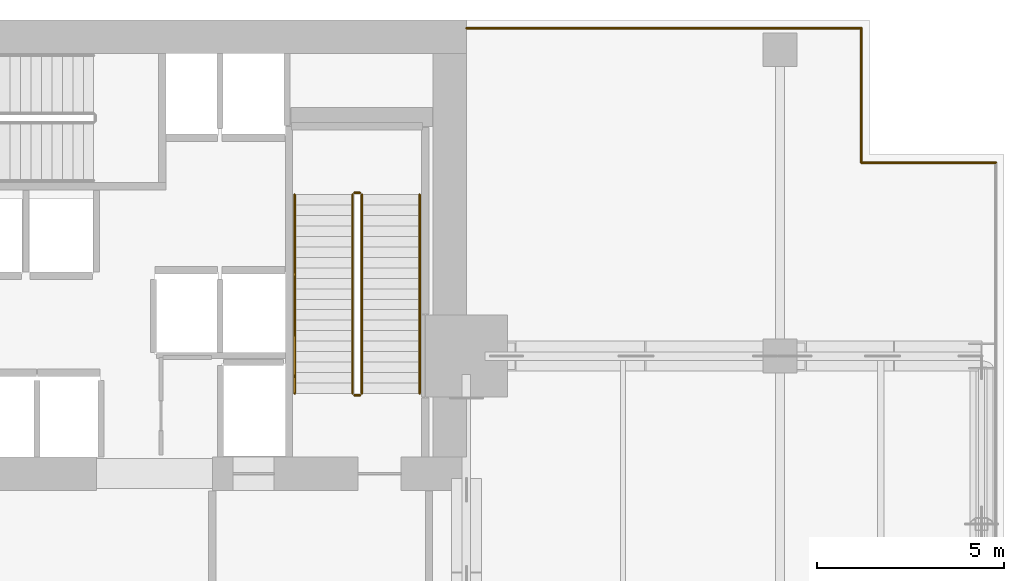
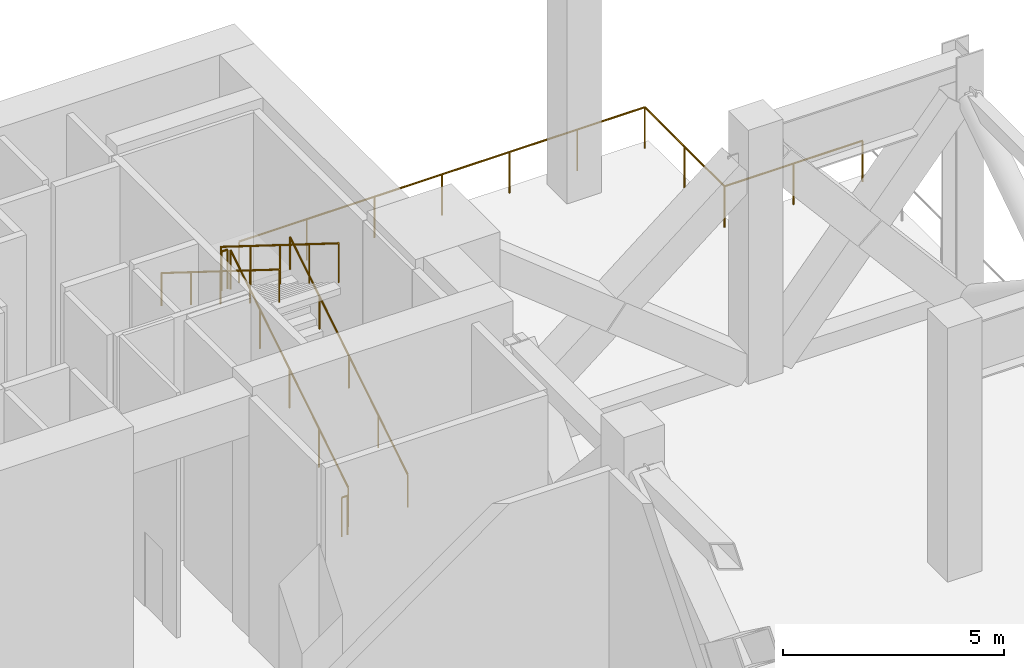
# One storey, part 16 of 16: 9 railings.
"""IFC4 building model written with IfcOpenShell, lengths in metres."""

from ifc_helpers import new_model, si_unit, direction, frame, origin, origin_2d, place, context, subcontext, project, spatial, circle, extrude, material, type_object, element, save


model = new_model("IFC4")

# Units and contexts
model_context = context("Model", 3, precision=1e-05, world=origin(), true_north=direction((0.0, 1.0)))
body_context = subcontext(model_context, "Body", "Model", "MODEL_VIEW")
ifc_project = project(units=[si_unit("LENGTHUNIT", "METRE"), si_unit("AREAUNIT", "SQUARE_METRE"), si_unit("VOLUMEUNIT", "CUBIC_METRE"), si_unit("PLANEANGLEUNIT", "RADIAN"), si_unit("MASSUNIT", "GRAM", prefix="KILO")], contexts=[model_context])

# Site, building, storey
site_placement = place(None, origin())
site = spatial("IfcSite", under=ifc_project, at=site_placement, CompositionType="ELEMENT")
building_placement = place(site_placement, origin())
building = spatial("IfcBuilding", under=site, at=building_placement, Name="Maruvema Waterfront Hotel and Observation Tower", CompositionType="ELEMENT")
storey_placement = place(building_placement, frame((0.0, 0.0, 115.5)))
storey = spatial("IfcBuildingStorey", under=building, at=storey_placement, Name="L28", CompositionType="ELEMENT", Elevation=115.5)

# Railings
ifc_material_1 = material(Name="Brushed stainless steel Grade 316", Category="steel")
railing_type_1 = type_object("IfcRailingType", Name="Ramp Continuous Wall Handrail 920 mm", PredefinedType="HANDRAIL", material=ifc_material_1)
railing_1_placement = place(storey_placement, frame((49.14990234375, 44.0, 0.175048828125)))
element("IfcRailing", 1, at=railing_1_placement, inside=storey, type_object=railing_type_1, Name="L28 ST-03 stair handrail 1", PredefinedType="HANDRAIL", context=body_context, shape_type="SweptSolid", body=[
    extrude(circle(Radius=0.02392578125, at=origin_2d()), frame((0.0, 0.0, 0.89599609375), z_axis=(0.0, 0.848004862711, 0.52998844593), x_axis=(-1.0, 0.0, 0.0)), (0.0, 0.0, 1.0), 6.273681640625),
    extrude(circle(Radius=0.02099609375, at=origin_2d()), origin(), (0.0, 0.0, 1.0), 0.871826171875),
    extrude(circle(Radius=0.02099609375, at=origin_2d()), frame((0.0, 1.330078125, 0.831298828125)), (0.0, 0.0, 1.0), 0.871826171875),
    extrude(circle(Radius=0.02099609375, at=origin_2d()), frame((0.0, 2.66015625, 1.66259765625)), (0.0, 0.0, 1.0), 0.871826171875),
    extrude(circle(Radius=0.02099609375, at=origin_2d()), frame((0.0, 3.989990234375, 2.49365234375)), (0.0, 0.0, 1.0), 0.871826171875),
    extrude(circle(Radius=0.02099609375, at=origin_2d()), frame((0.0, 5.320068359375, 3.324951171875)), (0.0, 0.0, 1.0), 0.871826171875),
])
railing_2_placement = place(storey_placement, frame((45.800048828125, 49.320068359375, 3.675048828125)))
element("IfcRailing", 2, at=railing_2_placement, inside=storey, type_object=railing_type_1, Name="L28 ST-03 stair handrail 2", PredefinedType="HANDRAIL", context=body_context, shape_type="SweptSolid", body=[
    extrude(circle(Radius=0.02392578125, at=origin_2d()), frame((0.0, 0.0, 0.89599609375), z_axis=(0.0, -0.848004862711, 0.52998844593), x_axis=(1.0, 0.0, 0.0)), (0.0, 0.0, 1.0), 6.273681640625),
    extrude(circle(Radius=0.02099609375, at=origin_2d()), origin(), (0.0, 0.0, 1.0), 0.871826171875),
    extrude(circle(Radius=0.02099609375, at=origin_2d()), frame((0.0, -1.330078125, 0.831298828125)), (0.0, 0.0, 1.0), 0.871826171875),
    extrude(circle(Radius=0.02099609375, at=origin_2d()), frame((0.0, -2.66015625, 1.66259765625)), (0.0, 0.0, 1.0), 0.871826171875),
    extrude(circle(Radius=0.02099609375, at=origin_2d()), frame((0.0, -3.989990234375, 2.49365234375)), (0.0, 0.0, 1.0), 0.871826171875),
    extrude(circle(Radius=0.02099609375, at=origin_2d()), frame((0.0, -5.320068359375, 3.324951171875)), (0.0, 0.0, 1.0), 0.871826171875),
])
ifc_material_2 = material(Name="Brushed stainless steel Grade 316", Category="steel")
railing_type_2 = type_object("IfcRailingType", Name="Ramp and Terrace Guard Balustrade 1100 mm", PredefinedType="BALUSTRADE", material=ifc_material_2)
railing_3_placement = place(storey_placement, frame((47.60009765625, 44.0, 0.175048828125)))
element("IfcRailing", 3, at=railing_3_placement, inside=storey, type_object=railing_type_2, Name="L28 ST-03 stair guard 1", PredefinedType="BALUSTRADE", context=body_context, shape_type="SweptSolid", body=[
    extrude(circle(Radius=0.02392578125, at=origin_2d()), frame((0.0, 0.0, 1.076171875), z_axis=(0.0, 0.848004862711, 0.52998844593), x_axis=(-1.0, 0.0, 0.0)), (0.0, 0.0, 1.0), 6.273681640625),
    extrude(circle(Radius=0.02099609375, at=origin_2d()), origin(), (0.0, 0.0, 1.0), 1.052001953125),
    extrude(circle(Radius=0.02099609375, at=origin_2d()), frame((0.0, 1.330078125, 0.831298828125)), (0.0, 0.0, 1.0), 1.052001953125),
    extrude(circle(Radius=0.02099609375, at=origin_2d()), frame((0.0, 2.66015625, 1.66259765625)), (0.0, 0.0, 1.0), 1.052001953125),
    extrude(circle(Radius=0.02099609375, at=origin_2d()), frame((0.0, 3.989990234375, 2.49365234375)), (0.0, 0.0, 1.0), 1.052001953125),
    extrude(circle(Radius=0.02099609375, at=origin_2d()), frame((0.0, 5.320068359375, 3.324951171875)), (0.0, 0.0, 1.0), 1.052001953125),
])
railing_4_placement = place(storey_placement, frame((47.550048828125, 49.3701171875, 3.5)))
element("IfcRailing", 4, at=railing_4_placement, inside=storey, type_object=railing_type_2, Name="L28 ST-03 stair guard 2", PredefinedType="BALUSTRADE", context=body_context, shape_type="SweptSolid", body=[
    extrude(circle(Radius=0.02392578125, at=origin_2d()), frame((0.0, 0.0, 1.076171875), z_axis=(-1.0, 0.0, 0.0), x_axis=(0.0, -1.0, 0.0)), (0.0, 0.0, 1.0), 0.150146484375),
    extrude(circle(Radius=0.02099609375, at=origin_2d()), origin(), (0.0, 0.0, 1.0), 1.052001953125),
    extrude(circle(Radius=0.02099609375, at=origin_2d()), frame((-0.150146484375, 0.0, 0.0)), (0.0, 0.0, 1.0), 1.052001953125),
])
railing_5_placement = place(storey_placement, frame((47.35009765625, 49.320068359375, 3.675048828125)))
element("IfcRailing", 5, at=railing_5_placement, inside=storey, type_object=railing_type_2, Name="L28 ST-03 stair guard 3", PredefinedType="BALUSTRADE", context=body_context, shape_type="SweptSolid", body=[
    extrude(circle(Radius=0.02392578125, at=origin_2d()), frame((0.0, 0.0, 1.076171875), z_axis=(0.0, -0.848004862711, 0.52998844593), x_axis=(1.0, 0.0, 0.0)), (0.0, 0.0, 1.0), 6.273681640625),
    extrude(circle(Radius=0.02099609375, at=origin_2d()), origin(), (0.0, 0.0, 1.0), 1.052001953125),
    extrude(circle(Radius=0.02099609375, at=origin_2d()), frame((0.0, -1.330078125, 0.831298828125)), (0.0, 0.0, 1.0), 1.052001953125),
    extrude(circle(Radius=0.02099609375, at=origin_2d()), frame((0.0, -2.66015625, 1.66259765625)), (0.0, 0.0, 1.0), 1.052001953125),
    extrude(circle(Radius=0.02099609375, at=origin_2d()), frame((0.0, -3.989990234375, 2.49365234375)), (0.0, 0.0, 1.0), 1.052001953125),
    extrude(circle(Radius=0.02099609375, at=origin_2d()), frame((0.0, -5.320068359375, 3.324951171875)), (0.0, 0.0, 1.0), 1.052001953125),
])
railing_6_placement = place(storey_placement, frame((47.550048828125, 43.949951171875, 0.0)))
element("IfcRailing", 6, at=railing_6_placement, inside=storey, type_object=railing_type_2, Name="L28 ST-03 stair guard 4", PredefinedType="BALUSTRADE", context=body_context, shape_type="SweptSolid", body=[
    extrude(circle(Radius=0.02392578125, at=origin_2d()), frame((0.0, 0.0, 1.076171875), z_axis=(-1.0, 0.0, 0.0), x_axis=(0.0, -1.0, 0.0)), (0.0, 0.0, 1.0), 0.150146484375),
    extrude(circle(Radius=0.02099609375, at=origin_2d()), origin(), (0.0, 0.0, 1.0), 1.052001953125),
    extrude(circle(Radius=0.02099609375, at=origin_2d()), frame((-0.150146484375, 0.0, 0.0)), (0.0, 0.0, 1.0), 1.052001953125),
])
ifc_material_3 = material(Name="Duplex stainless steel Grade 2205 and laminated glass", Category="steel")
railing_type_3 = type_object("IfcRailingType", Name="Wind-Floor Open Deck Safety Balustrade 1150 mm", PredefinedType="BALUSTRADE", material=ifc_material_3)
railing_7_placement = place(storey_placement, frame((50.39990234375, 53.780029296875, 0.0)))
element("IfcRailing", 7, at=railing_7_placement, inside=storey, type_object=railing_type_3, Name="L28 Perimeter Safety Balustrade 7", PredefinedType="BALUSTRADE", context=body_context, shape_type="SweptSolid", body=[
    extrude(circle(Radius=0.02392578125, at=origin_2d()), frame((0.0, 0.0, 1.1259765625), z_axis=(1.0, 0.0, 0.0), x_axis=(0.0, 1.0, 0.0)), (0.0, 0.0, 1.0), 10.580078125),
    extrude(circle(Radius=0.02099609375, at=origin_2d()), origin(), (0.0, 0.0, 1.0), 1.101806640625),
    extrude(circle(Radius=0.02099609375, at=origin_2d()), frame((1.763427734375, 0.0, 0.0)), (0.0, 0.0, 1.0), 1.101806640625),
    extrude(circle(Radius=0.02099609375, at=origin_2d()), frame((3.526611328125, 0.0, 0.0)), (0.0, 0.0, 1.0), 1.101806640625),
    extrude(circle(Radius=0.02099609375, at=origin_2d()), frame((5.2900390625, 0.0, 0.0)), (0.0, 0.0, 1.0), 1.101806640625),
    extrude(circle(Radius=0.02099609375, at=origin_2d()), frame((7.053466796875, 0.0, 0.0)), (0.0, 0.0, 1.0), 1.101806640625),
    extrude(circle(Radius=0.02099609375, at=origin_2d()), frame((8.816650390625, 0.0, 0.0)), (0.0, 0.0, 1.0), 1.101806640625),
    extrude(circle(Radius=0.02099609375, at=origin_2d()), frame((10.580078125, 0.0, 0.0)), (0.0, 0.0, 1.0), 1.101806640625),
])
railing_8_placement = place(storey_placement, frame((60.97998046875, 53.780029296875, 0.0)))
element("IfcRailing", 8, at=railing_8_placement, inside=storey, type_object=railing_type_3, Name="L28 Perimeter Safety Balustrade 8", PredefinedType="BALUSTRADE", context=body_context, shape_type="SweptSolid", body=[
    extrude(circle(Radius=0.02392578125, at=origin_2d()), frame((0.0, 0.0, 1.1259765625), z_axis=(0.0, -1.0, 0.0), x_axis=(1.0, 0.0, 0.0)), (0.0, 0.0, 1.0), 3.60009765625),
    extrude(circle(Radius=0.02099609375, at=origin_2d()), origin(), (0.0, 0.0, 1.0), 1.101806640625),
    extrude(circle(Radius=0.02099609375, at=origin_2d()), frame((0.0, -1.800048828125, 0.0)), (0.0, 0.0, 1.0), 1.101806640625),
    extrude(circle(Radius=0.02099609375, at=origin_2d()), frame((0.0, -3.60009765625, 0.0)), (0.0, 0.0, 1.0), 1.101806640625),
])
railing_9_placement = place(storey_placement, frame((60.97998046875, 50.179931640625, 0.0)))
element("IfcRailing", 9, at=railing_9_placement, inside=storey, type_object=railing_type_3, Name="L28 Perimeter Safety Balustrade 9", PredefinedType="BALUSTRADE", context=body_context, shape_type="SweptSolid", body=[
    extrude(circle(Radius=0.02392578125, at=origin_2d()), frame((0.0, 0.0, 1.1259765625), z_axis=(1.0, 0.0, 0.0), x_axis=(0.0, 1.0, 0.0)), (0.0, 0.0, 1.0), 3.60009765625),
    extrude(circle(Radius=0.02099609375, at=origin_2d()), origin(), (0.0, 0.0, 1.0), 1.101806640625),
    extrude(circle(Radius=0.02099609375, at=origin_2d()), frame((1.800048828125, 0.0, 0.0)), (0.0, 0.0, 1.0), 1.101806640625),
    extrude(circle(Radius=0.02099609375, at=origin_2d()), frame((3.60009765625, 0.0, 0.0)), (0.0, 0.0, 1.0), 1.101806640625),
])

save(model, "model.ifc")
